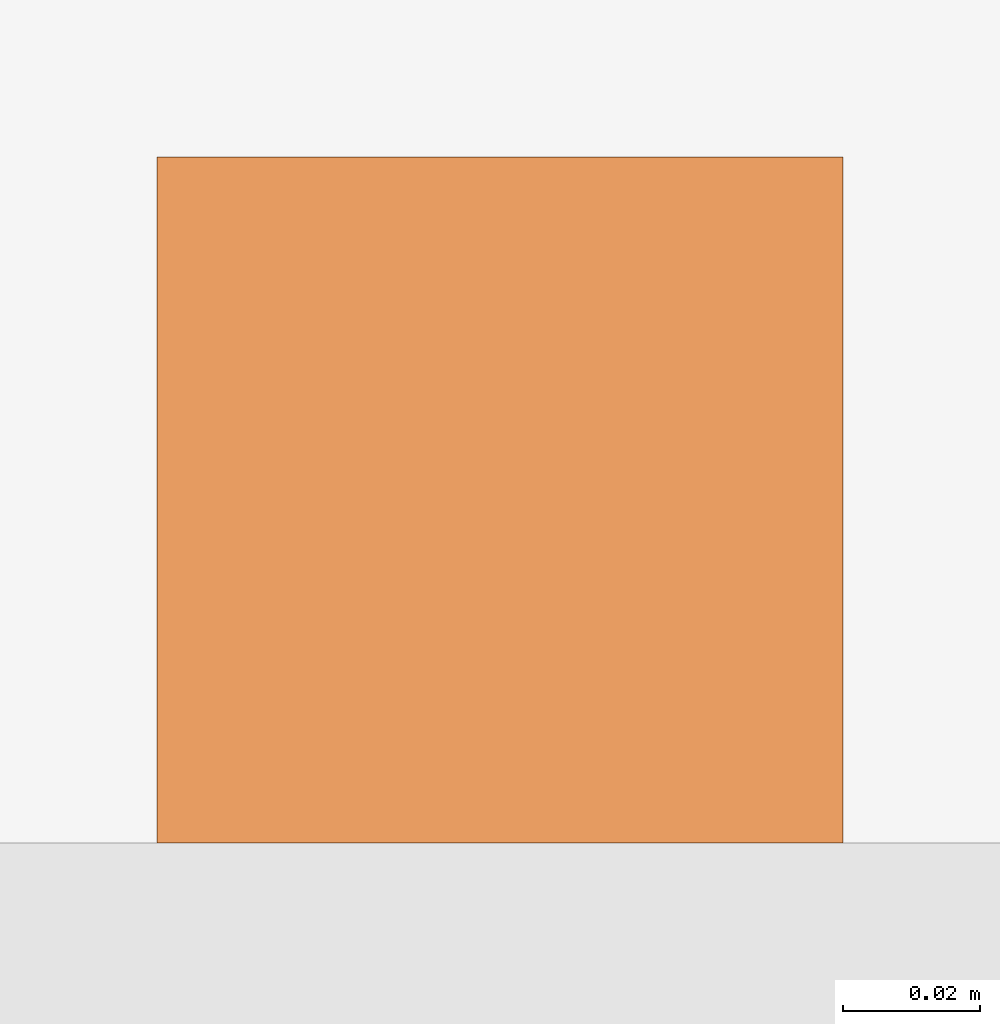
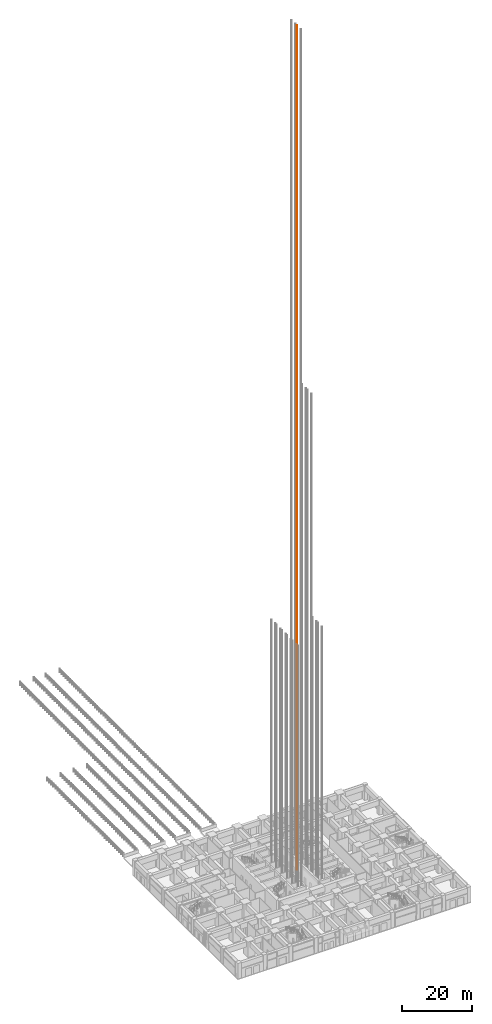
# One storey, part 79 of 81: 1 proxy.
"""IFC4 building model written with IfcOpenShell, lengths in metres."""

from ifc_helpers import new_model, si_unit, direction, frame, origin, origin_2d, place, context, subcontext, project, spatial, rectangle, extrude, material, type_object, element, save


model = new_model("IFC4")

# Units and contexts
model_context = context("Model", 3, precision=1e-05, world=origin(), true_north=direction((0.0, 1.0)))
body_context = subcontext(model_context, "Body", "Model", "MODEL_VIEW")
ifc_project = project(units=[si_unit("LENGTHUNIT", "METRE"), si_unit("AREAUNIT", "SQUARE_METRE"), si_unit("VOLUMEUNIT", "CUBIC_METRE"), si_unit("PLANEANGLEUNIT", "RADIAN"), si_unit("MASSUNIT", "GRAM", prefix="KILO")], contexts=[model_context])

# Site, building, storey
site_placement = place(None, origin())
site = spatial("IfcSite", under=ifc_project, at=site_placement, CompositionType="ELEMENT")
building_placement = place(site_placement, origin())
building = spatial("IfcBuilding", under=site, at=building_placement, Name="Rekha Terrace Tower", CompositionType="ELEMENT")
storey_placement = place(building_placement, origin())
storey = spatial("IfcBuildingStorey", under=building, at=storey_placement, Name="L00", CompositionType="ELEMENT", Elevation=0.0)

# Proxy
ifc_material = material(Name="Steel guide rail", Category="steel")
building_element_proxy_type = type_object("IfcBuildingElementProxyType", Name="LR1 100 lift guide rail", PredefinedType="ELEMENT", material=ifc_material)
proxy_placement = place(storey_placement, frame((41.14990234375, 38.0, 0.0), z_axis=(0.0, 0.0, 1.0), x_axis=(1.0, 0.0, 0.0)))
element("IfcBuildingElementProxy", 1, at=proxy_placement, inside=storey, type_object=building_element_proxy_type, Name="Lift SH5 guide rail 2", PredefinedType="ELEMENT", context=body_context, shape_type="SweptSolid", body=[
    extrude(rectangle(XDim=0.10009765625, YDim=0.10009765625, at=origin_2d()), origin(), (0.0, 0.0, 1.0), 293.75),
])

save(model, "model.ifc")
